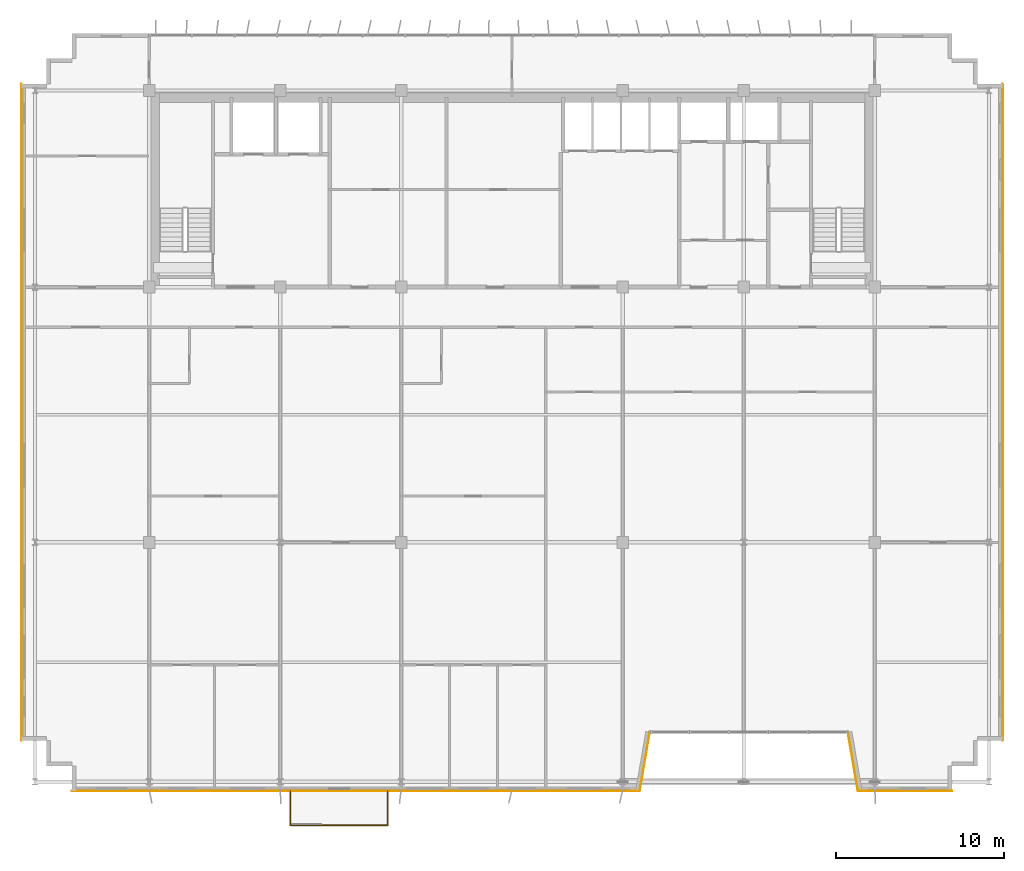
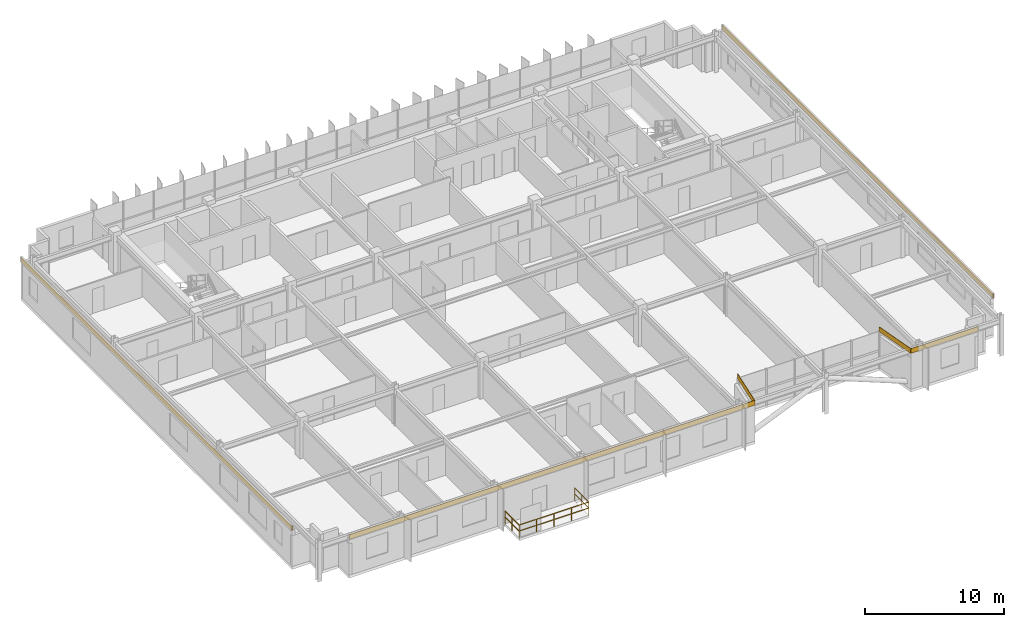
# One storey, part 26 of 27: 6 coverings, 3 railings.
"""IFC4 building model written with IfcOpenShell, lengths in metres."""

from ifc_helpers import new_model, si_unit, direction, frame, origin, origin_2d, place, context, subcontext, project, spatial, rectangle, extrude, source, transform, mapped, material, layer, layer_set, type_object, element, save


model = new_model("IFC4")

# Units and contexts
model_context = context("Model", 3, precision=1e-05, world=origin(), true_north=direction((0.0, 1.0)))
body_context = subcontext(model_context, "Body", "Model", "MODEL_VIEW")
ifc_project = project(units=[si_unit("LENGTHUNIT", "METRE"), si_unit("AREAUNIT", "SQUARE_METRE"), si_unit("VOLUMEUNIT", "CUBIC_METRE"), si_unit("PLANEANGLEUNIT", "RADIAN"), si_unit("MASSUNIT", "GRAM", prefix="KILO")], contexts=[model_context])

# Site, building, storey
site_placement = place(None, origin())
site = spatial("IfcSite", under=ifc_project, at=site_placement, CompositionType="ELEMENT")
building_placement = place(site_placement, origin())
building = spatial("IfcBuilding", under=site, at=building_placement, Name="Trelvane Seafront Commons", CompositionType="ELEMENT")
storey_placement = place(building_placement, frame((0.0, 0.0, 237.300048828125)))
storey = spatial("IfcBuildingStorey", under=building, at=storey_placement, Name="L62", CompositionType="ELEMENT", Elevation=237.300048828125)

# Railings
ifc_material_1 = material(Name="Stainless steel balustrade", Category="steel")
railing_type = type_object("IfcRailingType", Name="ARCH-RAIL-BAL1150", PredefinedType="BALUSTRADE", material=ifc_material_1)
railing_1_placement = place(storey_placement, frame((24.0, 3.39990234375, 0.0)))
element("IfcRailing", 1, at=railing_1_placement, inside=storey, type_object=railing_type, Name="RL-L62-BAL0-01", PredefinedType="BALUSTRADE", context=body_context, shape_type="SweptSolid", body=[
    extrude(rectangle(XDim=0.048095703125, YDim=0.048095703125, at=origin_2d()), frame((0.0, 0.0, 1.1259765625), z_axis=(0.0, -1.0, 0.0), x_axis=(1.0, 0.0, 0.0)), (0.0, 0.0, 1.0), 2.039794921875),
    extrude(rectangle(XDim=0.048095703125, YDim=0.048095703125, at=origin_2d()), frame((0.0, 0.0, 0.597900390625), z_axis=(0.0, -1.0, 0.0), x_axis=(1.0, 0.0, 0.0)), (0.0, 0.0, 1.0), 2.039794921875),
    extrude(rectangle(XDim=0.0419921875, YDim=0.0419921875, at=origin_2d()), origin(), (0.0, 0.0, 1.0), 1.1259765625),
    extrude(rectangle(XDim=0.0419921875, YDim=0.0419921875, at=origin_2d()), frame((0.0, -1.02001953125, 0.0)), (0.0, 0.0, 1.0), 1.1259765625),
    extrude(rectangle(XDim=0.0419921875, YDim=0.0419921875, at=origin_2d()), frame((0.0, -2.039794921875, 0.0)), (0.0, 0.0, 1.0), 1.1259765625),
])
railing_2_placement = place(storey_placement, frame((24.0, 1.360107421875, 0.0)))
element("IfcRailing", 2, at=railing_2_placement, inside=storey, type_object=railing_type, Name="RL-L62-BAL0-02", PredefinedType="BALUSTRADE", context=body_context, shape_type="SweptSolid", body=[
    extrude(rectangle(XDim=0.048095703125, YDim=0.048095703125, at=origin_2d()), frame((0.0, 0.0, 1.1259765625), z_axis=(1.0, 0.0, 0.0), x_axis=(0.0, 1.0, 0.0)), (0.0, 0.0, 1.0), 5.800048828125),
    extrude(rectangle(XDim=0.048095703125, YDim=0.048095703125, at=origin_2d()), frame((0.0, 0.0, 0.597900390625), z_axis=(1.0, 0.0, 0.0), x_axis=(0.0, 1.0, 0.0)), (0.0, 0.0, 1.0), 5.800048828125),
    extrude(rectangle(XDim=0.0419921875, YDim=0.0419921875, at=origin_2d()), origin(), (0.0, 0.0, 1.0), 1.1259765625),
    extrude(rectangle(XDim=0.0419921875, YDim=0.0419921875, at=origin_2d()), frame((1.449951171875, 0.0, 0.0)), (0.0, 0.0, 1.0), 1.1259765625),
    extrude(rectangle(XDim=0.0419921875, YDim=0.0419921875, at=origin_2d()), frame((2.89990234375, 0.0, 0.0)), (0.0, 0.0, 1.0), 1.1259765625),
    extrude(rectangle(XDim=0.0419921875, YDim=0.0419921875, at=origin_2d()), frame((4.35009765625, 0.0, 0.0)), (0.0, 0.0, 1.0), 1.1259765625),
    extrude(rectangle(XDim=0.0419921875, YDim=0.0419921875, at=origin_2d()), frame((5.800048828125, 0.0, 0.0)), (0.0, 0.0, 1.0), 1.1259765625),
])
railing_3_placement = place(storey_placement, frame((29.800048828125, 1.360107421875, 0.0)))
element("IfcRailing", 3, at=railing_3_placement, inside=storey, type_object=railing_type, Name="RL-L62-BAL0-03", PredefinedType="BALUSTRADE", context=body_context, shape_type="SweptSolid", body=[
    extrude(rectangle(XDim=0.048095703125, YDim=0.048095703125, at=origin_2d()), frame((0.0, 0.0, 1.1259765625), z_axis=(0.0, 1.0, 0.0), x_axis=(-1.0, 0.0, 0.0)), (0.0, 0.0, 1.0), 2.039794921875),
    extrude(rectangle(XDim=0.048095703125, YDim=0.048095703125, at=origin_2d()), frame((0.0, 0.0, 0.597900390625), z_axis=(0.0, 1.0, 0.0), x_axis=(-1.0, 0.0, 0.0)), (0.0, 0.0, 1.0), 2.039794921875),
    extrude(rectangle(XDim=0.0419921875, YDim=0.0419921875, at=origin_2d()), origin(), (0.0, 0.0, 1.0), 1.1259765625),
    extrude(rectangle(XDim=0.0419921875, YDim=0.0419921875, at=origin_2d()), frame((0.0, 1.02001953125, 0.0)), (0.0, 0.0, 1.0), 1.1259765625),
    extrude(rectangle(XDim=0.0419921875, YDim=0.0419921875, at=origin_2d()), frame((0.0, 2.039794921875, 0.0)), (0.0, 0.0, 1.0), 1.1259765625),
])

# Coverings
ifc_material_2 = material(Name="Anodised pale-silver aluminium", Category="aluminium")
ifc_layer = layer(ifc_material_2, 0.034912109375, Name="ARCH-COV-CLAD35")
ifc_layer_set = layer_set([ifc_layer], Name="Anodised pale-silver aluminium")
covering_type = type_object("IfcCoveringType", Name="ARCH-COV-CLAD35", PredefinedType="CLADDING", material=ifc_layer_set)
shared_shape_1 = source(origin(), body_context, "Body", "SweptSolid", [
    extrude(rectangle(XDim=3.551025390625, YDim=0.034912109375, at=origin_2d()), origin(), (0.0, 0.0, 1.0), 0.419921875),
])
for number, where, z_axis, x_axis, name in (
    (4, (57.5, 5.14990234375, 3.179931640625), (0.0, 0.0, 1.0), (-0.168964184077, 0.985622191562, 0.0), "CLD-L62-00260"),
    (5, (45.10009765625, 5.14990234375, 3.179931640625), (0.0, 0.0, 1.0), (-0.168964184077, -0.985622191562, 0.0), "CLD-L62-00261"),
):
    element("IfcCovering", number, at=place(storey_placement, frame(where, z_axis=z_axis, x_axis=x_axis)), inside=storey, type_object=covering_type, Name=name, PredefinedType="CLADDING", context=body_context, shape_type="MappedRepresentation", body=[
        mapped(shared_shape_1, transform((0.0, 0.0, 0.0), x_axis=(1.0, 0.0, 0.0), y_axis=(0.0, 1.0, 0.0), z_axis=(0.0, 0.0, 1.0), scale=1.0)),
    ])
shared_shape_2 = source(origin(), body_context, "Body", "SweptSolid", [
    extrude(rectangle(XDim=39.10009765625, YDim=0.034912109375, at=origin_2d()), origin(), (0.0, 0.0, 1.0), 0.419921875),
])
for number, where, z_axis, x_axis, name in (
    (6, (8.0, 25.949951171875, 3.179931640625), (0.0, 0.0, 1.0), (0.0, 1.0, 0.0), "CLD-L62-00257"),
    (7, (66.39990234375, 25.949951171875, 3.179931640625), (0.0, 0.0, 1.0), (0.0, -1.0, 0.0), "CLD-L62-00258"),
):
    element("IfcCovering", number, at=place(storey_placement, frame(where, z_axis=z_axis, x_axis=x_axis)), inside=storey, type_object=covering_type, Name=name, PredefinedType="CLADDING", context=body_context, shape_type="MappedRepresentation", body=[
        mapped(shared_shape_2, transform((0.0, 0.0, 0.0), x_axis=(1.0, 0.0, 0.0), y_axis=(0.0, 1.0, 0.0), z_axis=(0.0, 0.0, 1.0), scale=1.0)),
    ])
shared_shape_3 = source(origin(), body_context, "Body", "SweptSolid", [
    extrude(rectangle(XDim=5.60009765625, YDim=0.034912109375, at=origin_2d()), origin(), (0.0, 0.0, 1.0), 0.419921875),
])
covering_1_placement = place(storey_placement, frame((60.60009765625, 3.39990234375, 3.179931640625), z_axis=(0.0, 0.0, 1.0), x_axis=(-1.0, 0.0, 0.0)))
element("IfcCovering", 8, at=covering_1_placement, inside=storey, type_object=covering_type, Name="CLD-L62-00259", PredefinedType="CLADDING", context=body_context, shape_type="MappedRepresentation", body=[
    mapped(shared_shape_3, transform((0.0, 0.0, 0.0), x_axis=(1.0, 0.0, 0.0), y_axis=(0.0, 1.0, 0.0), z_axis=(0.0, 0.0, 1.0), scale=1.0)),
])
shared_shape_4 = source(origin(), body_context, "Body", "SweptSolid", [
    extrude(rectangle(XDim=33.800048828125, YDim=0.034912109375, at=origin_2d()), origin(), (0.0, 0.0, 1.0), 0.419921875),
])
covering_2_placement = place(storey_placement, frame((27.89990234375, 3.39990234375, 3.179931640625), z_axis=(0.0, 0.0, 1.0), x_axis=(-1.0, 0.0, 0.0)))
element("IfcCovering", 9, at=covering_2_placement, inside=storey, type_object=covering_type, Name="CLD-L62-00262", PredefinedType="CLADDING", context=body_context, shape_type="MappedRepresentation", body=[
    mapped(shared_shape_4, transform((0.0, 0.0, 0.0), x_axis=(1.0, 0.0, 0.0), y_axis=(0.0, 1.0, 0.0), z_axis=(0.0, 0.0, 1.0), scale=1.0)),
])

save(model, "model.ifc")
